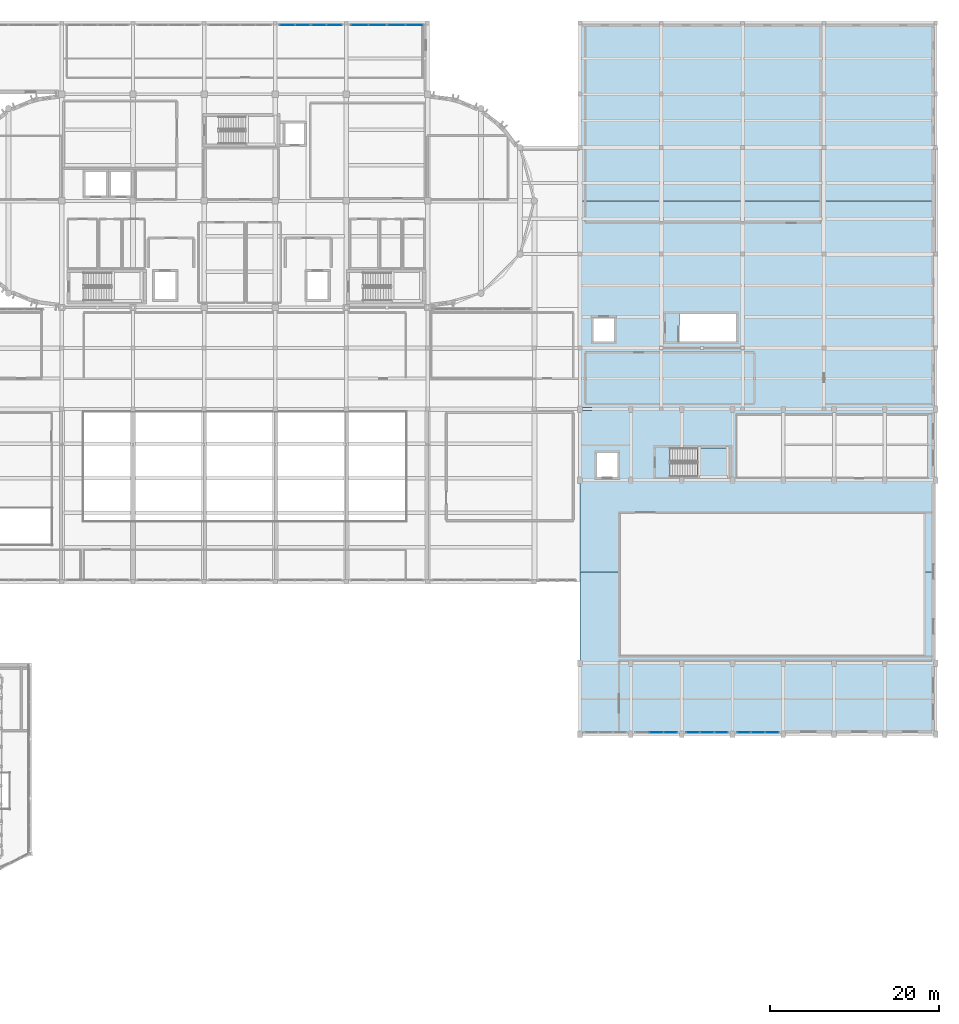
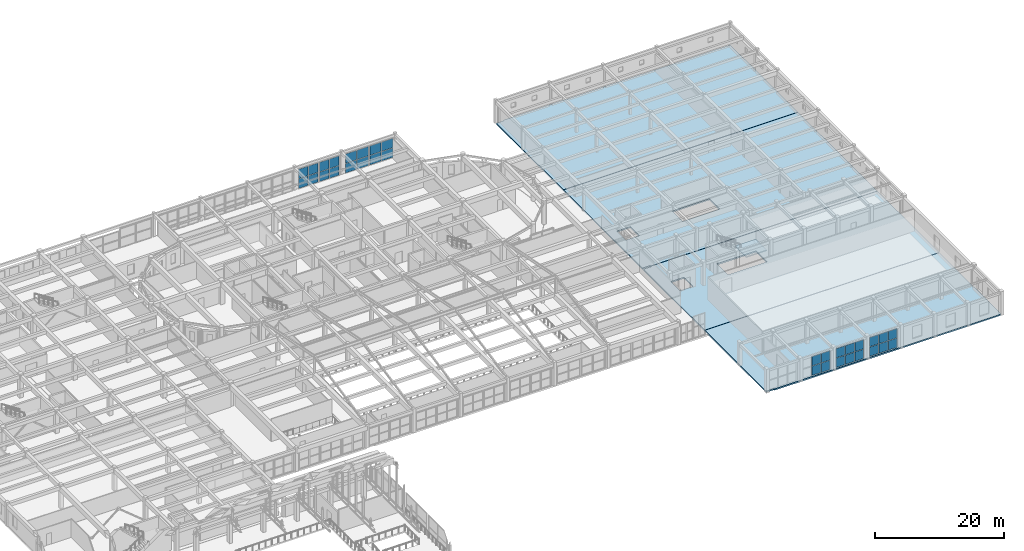
# One storey, part 63 of 91: 32 plates, 5 slabs, 8 elements without a shape of their own.
"""IFC4 building model written with IfcOpenShell, lengths in metres."""

import ifcopenshell
import ifcopenshell.guid

model = None  # the IFC model being written
_history = None  # IfcOwnerHistory: only IFC2X3 demands one
_inside = {}  # id of a spatial element -> (the spatial element, [elements in it])
_under = {}  # id of a project, library or spatial element -> (it, [spatial elements below it])
_declared = {}  # id of a project -> (the project, [libraries it declares])
_typed = {}  # id of a type object -> (the type object, [elements of that type])
_made_of = {}  # id of a material, layer set ... -> (it, [elements and type objects made of it])


def new_model(schema):
    """Start an empty IFC model of exactly this schema.

    Asked for "IFC4X3", IfcOpenShell would pick the latest addendum, in which some entities
    have other attributes; the version numbers below select the first issue.
    IFC2X3 requires an IfcOwnerHistory on every rooted entity: one is made here for all.
    """
    global model, _history
    if schema == "IFC4X3":
        model = ifcopenshell.file(schema_version=(4, 3, 0, 0))
    else:
        model = ifcopenshell.file(schema=schema)
    _inside.clear()
    _under.clear()
    _declared.clear()
    _typed.clear()
    _made_of.clear()
    _history = None
    if model.schema == "IFC2X3":
        org = make("IfcOrganization", Name="unknown")
        user = make(
            "IfcPersonAndOrganization",
            ThePerson=make("IfcPerson", FamilyName="unknown"),
            TheOrganization=org,
        )
        app = make(
            "IfcApplication",
            ApplicationDeveloper=org,
            Version="unknown",
            ApplicationFullName="unknown",
            ApplicationIdentifier="unknown",
        )
        _history = make(
            "IfcOwnerHistory",
            OwningUser=user,
            OwningApplication=app,
            ChangeAction="ADDED",
            CreationDate=0,
        )
    return model


def make(cls, **values):
    """One entity of the class cls with the attributes given. An attribute that is None is left unset."""
    return model.create_entity(
        cls, **{name: value for name, value in values.items() if value is not None}
    )


def rooted(cls, **values):
    """An entity with a GlobalId (a new one), such as an element, a storey or a relation."""
    return make(cls, GlobalId=ifcopenshell.guid.new(), OwnerHistory=_history, **values)


def si_unit(unit_type, name, prefix=None):
    """IfcSIUnit, for example si_unit("LENGTHUNIT", "METRE", prefix="MILLI")."""
    return make("IfcSIUnit", UnitType=unit_type, Prefix=prefix, Name=name)


def assignment(units):
    """IfcUnitAssignment: the units of a project."""
    return None if units is None else make("IfcUnitAssignment", Units=units)


def point(xyz):
    """IfcCartesianPoint."""
    return None if xyz is None else make("IfcCartesianPoint", Coordinates=xyz)


def direction(xyz):
    """IfcDirection."""
    return None if xyz is None else make("IfcDirection", DirectionRatios=xyz)


def frame(location, z_axis=None, x_axis=None):
    """IfcAxis2Placement3D, a coordinate frame: its origin and axes. An axis left out is left unset."""
    return make(
        "IfcAxis2Placement3D",
        Location=point(location),
        Axis=direction(z_axis),
        RefDirection=direction(x_axis),
    )


def frame_2d(location, x_axis=None):
    """IfcAxis2Placement2D, a coordinate frame in the plane: its origin and x axis."""
    return make(
        "IfcAxis2Placement2D", Location=point(location), RefDirection=direction(x_axis)
    )


def origin():
    """The frame at (0, 0, 0) with its axes left unset."""
    return frame((0.0, 0.0, 0.0))


def origin_2d():
    """The frame at (0, 0) in the plane with its x axis left unset."""
    return frame_2d((0.0, 0.0))


def place(relative_to, where):
    """IfcLocalPlacement: puts the frame where relative to a parent placement (None: the world)."""
    return make(
        "IfcLocalPlacement", PlacementRelTo=relative_to, RelativePlacement=where
    )


def context(
    kind, dimensions, precision=None, world=None, true_north=None, identifier=None
):
    """IfcGeometricRepresentationContext, for example the 3D "Model" context."""
    return make(
        "IfcGeometricRepresentationContext",
        ContextIdentifier=identifier,
        ContextType=kind,
        CoordinateSpaceDimension=dimensions,
        Precision=precision,
        WorldCoordinateSystem=world,
        TrueNorth=true_north,
    )


def subcontext(parent, identifier, kind, view, scale=None):
    """IfcGeometricRepresentationSubContext, for example "Body" below "Model"."""
    return make(
        "IfcGeometricRepresentationSubContext",
        ContextIdentifier=identifier,
        ContextType=kind,
        ParentContext=parent,
        TargetScale=scale,
        TargetView=view,
    )


def project(units=None, contexts=None):
    """IfcProject with its units and contexts."""
    return rooted(
        "IfcProject",
        Name="project",
        RepresentationContexts=contexts,
        UnitsInContext=assignment(units),
    )


def spatial(cls, under=None, at=None, **own):
    """A site, building, storey or space (cls), placed at a placement, below another one or the project."""
    s = rooted(cls, ObjectPlacement=at, **own)
    if under is not None:
        _under.setdefault(under.id(), (under, []))[1].append(s)
    return s


def polyline(points):
    """IfcPolyline through the points."""
    return make("IfcPolyline", Points=[point(p) for p in points])


def profile(cls, at=None, kind="AREA", **sizes):
    """A parametric profile (cls). Its sizes go by their IFC names, for example OverallWidth=200.0."""
    return make(cls, ProfileType=kind, Position=at, **sizes)


def rectangle(**sizes):
    """IfcRectangleProfileDef."""
    return profile("IfcRectangleProfileDef", **sizes)


def outline(outer, holes=None, kind="AREA"):
    """IfcArbitraryClosedProfileDef: a profile drawn as a closed curve; with holes, ...WithVoids."""
    if holes is None:
        return make("IfcArbitraryClosedProfileDef", ProfileType=kind, OuterCurve=outer)
    return make(
        "IfcArbitraryProfileDefWithVoids",
        ProfileType=kind,
        OuterCurve=outer,
        InnerCurves=holes,
    )


def extrude(swept, where, along, depth):
    """IfcExtrudedAreaSolid: the profile swept, set in the frame where, extruded along a direction by depth."""
    return make(
        "IfcExtrudedAreaSolid",
        SweptArea=swept,
        Position=where,
        ExtrudedDirection=direction(along),
        Depth=depth,
    )


def shape(context_of_items, identifier, shape_type, items):
    """IfcShapeRepresentation: the items that make up one representation, for example the "Body"."""
    return make(
        "IfcShapeRepresentation",
        ContextOfItems=context_of_items,
        RepresentationIdentifier=identifier,
        RepresentationType=shape_type,
        Items=items,
    )


def material(Name=None, Category=None):
    """IfcMaterial."""
    return make("IfcMaterial", Name=Name, Category=Category)


def layer(
    of_material, thickness, ventilated=None, Name=None, Category=None, Priority=None
):
    """IfcMaterialLayer: one layer of a wall or slab, of a material (None: an air gap)."""
    return make(
        "IfcMaterialLayer",
        Material=of_material,
        LayerThickness=thickness,
        IsVentilated=ventilated,
        Name=Name,
        Category=Category,
        Priority=Priority,
    )


def layer_set(layers, Name=None):
    """IfcMaterialLayerSet."""
    return make("IfcMaterialLayerSet", MaterialLayers=layers, LayerSetName=Name)


def made_of(thing, what):
    """Note that an element or type object is made of a material, layer set ...; save() writes the relation."""
    if what is not None:
        _made_of.setdefault(what.id(), (what, []))[1].append(thing)
    return thing


def type_object(cls, material=None, **own):
    """A type object (cls), such as IfcWallType, which elements share."""
    return made_of(rooted(cls, **own), material)


def element(
    cls,
    number,
    at=None,
    inside=None,
    cuts=None,
    type_object=None,
    material=None,
    context=None,
    identifier="Body",
    shape_type=None,
    held_by="IfcProductDefinitionShape",
    body=None,
    shapes=None,
    **own,
):
    """One element of the class cls, such as IfcWall. Its Tag is "e" and its number.

    at: its placement. inside: the storey or other place that contains it. cuts: it is an
    opening in that element (IfcRelVoidsElement). A single representation is given by context,
    identifier, shape_type and body (its items); several are given by shapes. held_by: the class
    of the entity that holds the representations. save() writes the other relations.
    """
    e = rooted(cls, Tag="e%d" % number, ObjectPlacement=at, **own)
    if body is not None:
        shapes = [shape(context, identifier, shape_type, body)]
    if shapes is not None:
        e.Representation = make(held_by, Representations=shapes)
    if inside is not None:
        _inside.setdefault(inside.id(), (inside, []))[1].append(e)
    if cuts is not None:
        rooted(
            "IfcRelVoidsElement", RelatingBuildingElement=cuts, RelatedOpeningElement=e
        )
    if type_object is not None:
        _typed.setdefault(type_object.id(), (type_object, []))[1].append(e)
    return made_of(e, material)


def aggregate(whole, parts):
    """IfcRelAggregates: a whole, such as a stair, and the parts it consists of."""
    return rooted("IfcRelAggregates", RelatingObject=whole, RelatedObjects=parts)


def save(model, path):
    """Write the relations noted so far, then the file.

    IfcRelAggregates (storeys below a building ...), IfcRelContainedInSpatialStructure (elements
    in a storey), IfcRelDefinesByType, IfcRelAssociatesMaterial and IfcRelDeclares: one each for
    every whole, place, type object, material and project.
    """
    for whole, parts in _under.values():
        aggregate(whole, parts)
    for where, things in _inside.values():
        rooted(
            "IfcRelContainedInSpatialStructure",
            RelatedElements=things,
            RelatingStructure=where,
        )
    for kind, things in _typed.values():
        rooted("IfcRelDefinesByType", RelatedObjects=things, RelatingType=kind)
    for what, things in _made_of.values():
        rooted("IfcRelAssociatesMaterial", RelatedObjects=things, RelatingMaterial=what)
    for by, libraries in _declared.values():
        rooted("IfcRelDeclares", RelatingContext=by, RelatedDefinitions=libraries)
    model.write(path)


model = new_model("IFC4")

# Units and contexts
model_context = context("Model", 3, precision=1e-05, world=origin(), true_north=direction((0.0, 1.0)))
body_context = subcontext(model_context, "Body", "Model", "MODEL_VIEW")
ifc_project = project(units=[si_unit("LENGTHUNIT", "METRE"), si_unit("AREAUNIT", "SQUARE_METRE"), si_unit("VOLUMEUNIT", "CUBIC_METRE"), si_unit("PLANEANGLEUNIT", "RADIAN"), si_unit("MASSUNIT", "GRAM", prefix="KILO")], contexts=[model_context])

# Site, building, storey
site_placement = place(None, origin())
site = spatial("IfcSite", under=ifc_project, at=site_placement, CompositionType="ELEMENT")
building_placement = place(site_placement, origin())
building = spatial("IfcBuilding", under=site, at=building_placement, Name="Tarnavel Promenade Courthouse", CompositionType="ELEMENT")
storey_placement = place(building_placement, frame((0.0, 0.0, 9.89990234375)))
storey = spatial("IfcBuildingStorey", under=building, at=storey_placement, Name="L03", CompositionType="ELEMENT", Elevation=9.89990234375)

# Stair, slab
ifc_material_1 = material(Name="Concrete C35/45", Category="concrete")
stair_type = type_object("IfcStairType", Name="Concrete C35/45 Half-Turn Stair STR-19 (1600W-300G-24R)", PredefinedType="HALF_TURN_STAIR", material=ifc_material_1)
stair_placement = place(storey_placement, origin())
stair = element("IfcStair", 1, at=stair_placement, inside=storey, type_object=stair_type, Name="L03 Ceremonial Pavilion Exit Stair", PredefinedType="HALF_TURN_STAIR")
ifc_layer_1 = layer(ifc_material_1, 0.205078125)
ifc_layer_set_1 = layer_set([ifc_layer_1], Name="Concrete C35/45")
slab_type_1 = type_object("IfcSlabType", Name="Concrete C35/45 Stair Landing SLB-LND-205 (205 mm)", PredefinedType="LANDING", material=ifc_layer_set_1)
slab_1_placement = place(storey_placement, frame((0.0, 0.0, 2.050048828125)))
slab_1 = element("IfcSlab", 2, at=slab_1_placement, type_object=slab_type_1, Name="ST-08 landing 1", PredefinedType="LANDING", context=body_context, shape_type="SweptSolid", body=[
    extrude(outline(polyline([(133.89990234375, 59.199951171875), (137.60009765625, 59.199951171875), (137.60009765625, 62.60009765625), (133.89990234375, 62.60009765625), (133.89990234375, 59.199951171875)])), origin(), (0.0, 0.0, 1.0), 0.199951171875),
])
aggregate(stair, [slab_1])

# Slabs
ifc_material_2 = material(Name="Concrete C40/50", Category="concrete")
ifc_layer_2 = layer(ifc_material_2, 0.25)
ifc_layer_set_2 = layer_set([ifc_layer_2], Name="Concrete C40/50")
slab_type_2 = type_object("IfcSlabType", Name="Concrete C40/50 SLB-PT-250 (250 mm)", PredefinedType="FLOOR", material=ifc_layer_set_2)
slab_2_placement = place(storey_placement, frame((0.0, 0.0, -0.25)))
element("IfcSlab", 3, at=slab_2_placement, inside=storey, type_object=slab_type_2, Name="L03 Custody Suite S Security Slab", PredefinedType="FLOOR", context=body_context, shape_type="SweptSolid", body=[
    extrude(outline(polyline([(120.02001953125, 67.3798828125), (121.419921875, 67.3798828125), (121.419921875, 67.219970703125), (162.0, 67.219970703125), (162.0, 91.780029296875), (120.02001953125, 91.780029296875), (120.02001953125, 67.3798828125)]), holes=[polyline([(131.7451171875, 75.199951171875), (138.39990234375, 75.199951171875), (138.39990234375, 78.39990234375), (131.7451171875, 78.39990234375), (131.7451171875, 75.199951171875)]), polyline([(121.60009765625, 75.199951171875), (124.0, 75.199951171875), (124.0, 78.0), (121.60009765625, 78.0), (121.60009765625, 75.199951171875)])]), origin(), (0.0, 0.0, 1.0), 0.25),
])
slab_3_placement = place(storey_placement, frame((0.0, 0.0, -0.25)))
element("IfcSlab", 4, at=slab_3_placement, inside=storey, type_object=slab_type_2, Name="L03 Custody Suite N Security Slab", PredefinedType="FLOOR", context=body_context, shape_type="SweptSolid", body=[
    extrude(outline(polyline([(120.02001953125, 91.820068359375), (162.0, 91.820068359375), (162.0, 112.800048828125), (121.419921875, 112.800048828125), (121.419921875, 112.639892578125), (120.02001953125, 112.639892578125), (120.02001953125, 91.820068359375)])), origin(), (0.0, 0.0, 1.0), 0.25),
])
ifc_layer_3 = layer(ifc_material_2, 0.260009765625)
ifc_layer_set_3 = layer_set([ifc_layer_3], Name="Concrete C40/50")
slab_type_3 = type_object("IfcSlabType", Name="Concrete C40/50 SLB-PT-260 (260 mm)", PredefinedType="FLOOR", material=ifc_layer_set_3)
slab_4_placement = place(storey_placement, frame((0.0, 0.0, -0.260009765625)))
element("IfcSlab", 5, at=slab_4_placement, inside=storey, type_object=slab_type_3, Name="L03 Ceremonial Pavilion S Floor Slab", PredefinedType="FLOOR", context=body_context, shape_type="SweptSolid", body=[
    extrude(outline(polyline([(120.02001953125, 28.97998046875), (121.419921875, 28.97998046875), (121.419921875, 28.820068359375), (162.0, 28.820068359375), (162.0, 47.97998046875), (120.02001953125, 47.97998046875), (120.02001953125, 28.97998046875)])), origin(), (0.0, 0.0, 1.0), 0.260009765625),
])
slab_5_placement = place(storey_placement, frame((0.0, 0.0, -0.260009765625)))
element("IfcSlab", 6, at=slab_5_placement, inside=storey, type_object=slab_type_3, Name="L03 Ceremonial Pavilion N Floor Slab", PredefinedType="FLOOR", context=body_context, shape_type="SweptSolid", body=[
    extrude(outline(polyline([(120.02001953125, 48.02001953125), (162.0, 48.02001953125), (162.0, 67.179931640625), (121.419921875, 67.179931640625), (121.419921875, 67.02001953125), (120.02001953125, 67.02001953125), (120.02001953125, 48.02001953125)]), holes=[polyline([(130.64501953125, 59.199951171875), (137.60009765625, 59.199951171875), (137.60009765625, 62.60009765625), (130.64501953125, 62.60009765625), (130.64501953125, 59.199951171875)]), polyline([(122.0, 59.199951171875), (124.39990234375, 59.199951171875), (124.39990234375, 62.0), (122.0, 62.0), (122.0, 59.199951171875)])]), origin(), (0.0, 0.0, 1.0), 0.260009765625),
])

# Curtain wall, plates
ifc_material_3 = material(Name="Thermally Broken Anodised Aluminium Curtain Wall System", Category="aluminium")
ifc_layer_4 = layer(ifc_material_3, 0.199951171875)
ifc_layer_set_4 = layer_set([ifc_layer_4], Name="Thermally Broken Anodised Aluminium Curtain Wall System")
curtain_wall_type = type_object("IfcCurtainWallType", Name="Thermally Broken Aluminium Triple-Glazed Curtain Wall CW-FOYER", PredefinedType="NOTDEFINED", material=ifc_layer_set_4)
curtain_wall_1_placement = place(storey_placement, origin())
curtain_wall_1 = element("IfcCurtainWall", 7, at=curtain_wall_1_placement, inside=storey, type_object=curtain_wall_type, Name="L03 North Foyer Curtain Wall A 146", PredefinedType="NOTDEFINED")
ifc_material_4 = material(Name="Triple Low-E Argon Insulated Glazing", Category="glass")
ifc_layer_5 = layer(ifc_material_4, 0.048095703125)
ifc_layer_set_5 = layer_set([ifc_layer_5], Name="Triple Low-E Argon Insulated Glazing")
plate_type = type_object("IfcPlateType", Name="Triple Low-E Argon Insulated Glazing Unit CWP-48 (48 mm)", PredefinedType="CURTAIN_PANEL", material=ifc_layer_set_5)
plate_1_placement = place(storey_placement, frame((85.419921875, 112.580078125, 0.0703125), z_axis=(0.0, 0.0, 1.0), x_axis=(1.0, 0.0, 0.0)))
plate_1 = element("IfcPlate", 8, at=plate_1_placement, type_object=plate_type, Name="CW-04 panel 1.1", PredefinedType="CURTAIN_PANEL", context=body_context, shape_type="SweptSolid", body=[
    extrude(rectangle(XDim=1.719970703125, YDim=0.048095703125, at=origin_2d()), origin(), (0.0, 0.0, 1.0), 1.784912109375),
])
plate_2_placement = place(storey_placement, frame((85.419921875, 112.580078125, 1.92529296875), z_axis=(0.0, 0.0, 1.0), x_axis=(1.0, 0.0, 0.0)))
plate_2 = element("IfcPlate", 9, at=plate_2_placement, type_object=plate_type, Name="CW-04 panel 1.2", PredefinedType="CURTAIN_PANEL", context=body_context, shape_type="SweptSolid", body=[
    extrude(rectangle(XDim=1.719970703125, YDim=0.048095703125, at=origin_2d()), origin(), (0.0, 0.0, 1.0), 1.784912109375),
])
plate_3_placement = place(storey_placement, frame((87.219970703125, 112.580078125, 0.0703125), z_axis=(0.0, 0.0, 1.0), x_axis=(1.0, 0.0, 0.0)))
plate_3 = element("IfcPlate", 10, at=plate_3_placement, type_object=plate_type, Name="CW-04 panel 2.1", PredefinedType="CURTAIN_PANEL", context=body_context, shape_type="SweptSolid", body=[
    extrude(rectangle(XDim=1.719970703125, YDim=0.048095703125, at=origin_2d()), origin(), (0.0, 0.0, 1.0), 1.784912109375),
])
plate_4_placement = place(storey_placement, frame((87.219970703125, 112.580078125, 1.92529296875), z_axis=(0.0, 0.0, 1.0), x_axis=(1.0, 0.0, 0.0)))
plate_4 = element("IfcPlate", 11, at=plate_4_placement, type_object=plate_type, Name="CW-04 panel 2.2", PredefinedType="CURTAIN_PANEL", context=body_context, shape_type="SweptSolid", body=[
    extrude(rectangle(XDim=1.719970703125, YDim=0.048095703125, at=origin_2d()), origin(), (0.0, 0.0, 1.0), 1.784912109375),
])
aggregate(curtain_wall_1, [plate_1, plate_2, plate_3, plate_4])

curtain_wall_2_placement = place(storey_placement, origin())
curtain_wall_2 = element("IfcCurtainWall", 12, at=curtain_wall_2_placement, inside=storey, type_object=curtain_wall_type, Name="L03 North Foyer Curtain Wall B 147", PredefinedType="NOTDEFINED")
plate_5_placement = place(storey_placement, frame((89.179931640625, 112.580078125, 0.0703125), z_axis=(0.0, 0.0, 1.0), x_axis=(1.0, 0.0, 0.0)))
plate_5 = element("IfcPlate", 13, at=plate_5_placement, type_object=plate_type, Name="CW-04 panel 1.1", PredefinedType="CURTAIN_PANEL", context=body_context, shape_type="SweptSolid", body=[
    extrude(rectangle(XDim=1.719970703125, YDim=0.048095703125, at=origin_2d()), origin(), (0.0, 0.0, 1.0), 1.784912109375),
])
plate_6_placement = place(storey_placement, frame((89.179931640625, 112.580078125, 1.92529296875), z_axis=(0.0, 0.0, 1.0), x_axis=(1.0, 0.0, 0.0)))
plate_6 = element("IfcPlate", 14, at=plate_6_placement, type_object=plate_type, Name="CW-04 panel 1.2", PredefinedType="CURTAIN_PANEL", context=body_context, shape_type="SweptSolid", body=[
    extrude(rectangle(XDim=1.719970703125, YDim=0.048095703125, at=origin_2d()), origin(), (0.0, 0.0, 1.0), 1.784912109375),
])
plate_7_placement = place(storey_placement, frame((90.97998046875, 112.580078125, 0.0703125), z_axis=(0.0, 0.0, 1.0), x_axis=(1.0, 0.0, 0.0)))
plate_7 = element("IfcPlate", 15, at=plate_7_placement, type_object=plate_type, Name="CW-04 panel 2.1", PredefinedType="CURTAIN_PANEL", context=body_context, shape_type="SweptSolid", body=[
    extrude(rectangle(XDim=1.719970703125, YDim=0.048095703125, at=origin_2d()), origin(), (0.0, 0.0, 1.0), 1.784912109375),
])
plate_8_placement = place(storey_placement, frame((90.97998046875, 112.580078125, 1.92529296875), z_axis=(0.0, 0.0, 1.0), x_axis=(1.0, 0.0, 0.0)))
plate_8 = element("IfcPlate", 16, at=plate_8_placement, type_object=plate_type, Name="CW-04 panel 2.2", PredefinedType="CURTAIN_PANEL", context=body_context, shape_type="SweptSolid", body=[
    extrude(rectangle(XDim=1.719970703125, YDim=0.048095703125, at=origin_2d()), origin(), (0.0, 0.0, 1.0), 1.784912109375),
])
aggregate(curtain_wall_2, [plate_5, plate_6, plate_7, plate_8])

curtain_wall_3_placement = place(storey_placement, origin())
curtain_wall_3 = element("IfcCurtainWall", 17, at=curtain_wall_3_placement, inside=storey, type_object=curtain_wall_type, Name="L03 North Foyer Curtain Wall A 148", PredefinedType="NOTDEFINED")
plate_9_placement = place(storey_placement, frame((93.969970703125, 112.580078125, 0.0703125), z_axis=(0.0, 0.0, 1.0), x_axis=(1.0, 0.0, 0.0)))
plate_9 = element("IfcPlate", 18, at=plate_9_placement, type_object=plate_type, Name="CW-04 panel 1.1", PredefinedType="CURTAIN_PANEL", context=body_context, shape_type="SweptSolid", body=[
    extrude(rectangle(XDim=2.02001953125, YDim=0.048095703125, at=origin_2d()), origin(), (0.0, 0.0, 1.0), 1.760009765625),
])
plate_10_placement = place(storey_placement, frame((93.969970703125, 112.580078125, 1.89990234375), z_axis=(0.0, 0.0, 1.0), x_axis=(1.0, 0.0, 0.0)))
plate_10 = element("IfcPlate", 19, at=plate_10_placement, type_object=plate_type, Name="CW-04 panel 1.2", PredefinedType="CURTAIN_PANEL", context=body_context, shape_type="SweptSolid", body=[
    extrude(rectangle(XDim=2.02001953125, YDim=0.048095703125, at=origin_2d()), origin(), (0.0, 0.0, 1.0), 1.760009765625),
])
plate_11_placement = place(storey_placement, frame((96.070068359375, 112.580078125, 0.0703125), z_axis=(0.0, 0.0, 1.0), x_axis=(1.0, 0.0, 0.0)))
plate_11 = element("IfcPlate", 20, at=plate_11_placement, type_object=plate_type, Name="CW-04 panel 2.1", PredefinedType="CURTAIN_PANEL", context=body_context, shape_type="SweptSolid", body=[
    extrude(rectangle(XDim=2.02001953125, YDim=0.048095703125, at=origin_2d()), origin(), (0.0, 0.0, 1.0), 1.760009765625),
])
plate_12_placement = place(storey_placement, frame((96.070068359375, 112.580078125, 1.89990234375), z_axis=(0.0, 0.0, 1.0), x_axis=(1.0, 0.0, 0.0)))
plate_12 = element("IfcPlate", 21, at=plate_12_placement, type_object=plate_type, Name="CW-04 panel 2.2", PredefinedType="CURTAIN_PANEL", context=body_context, shape_type="SweptSolid", body=[
    extrude(rectangle(XDim=2.02001953125, YDim=0.048095703125, at=origin_2d()), origin(), (0.0, 0.0, 1.0), 1.760009765625),
])
aggregate(curtain_wall_3, [plate_9, plate_10, plate_11, plate_12])

curtain_wall_4_placement = place(storey_placement, origin())
curtain_wall_4 = element("IfcCurtainWall", 22, at=curtain_wall_4_placement, inside=storey, type_object=curtain_wall_type, Name="L03 North Foyer Curtain Wall B 149", PredefinedType="NOTDEFINED")
plate_13_placement = place(storey_placement, frame((98.330078125, 112.580078125, 0.0703125), z_axis=(0.0, 0.0, 1.0), x_axis=(1.0, 0.0, 0.0)))
plate_13 = element("IfcPlate", 23, at=plate_13_placement, type_object=plate_type, Name="CW-04 panel 1.1", PredefinedType="CURTAIN_PANEL", context=body_context, shape_type="SweptSolid", body=[
    extrude(rectangle(XDim=2.02001953125, YDim=0.048095703125, at=origin_2d()), origin(), (0.0, 0.0, 1.0), 1.760009765625),
])
plate_14_placement = place(storey_placement, frame((98.330078125, 112.580078125, 1.89990234375), z_axis=(0.0, 0.0, 1.0), x_axis=(1.0, 0.0, 0.0)))
plate_14 = element("IfcPlate", 24, at=plate_14_placement, type_object=plate_type, Name="CW-04 panel 1.2", PredefinedType="CURTAIN_PANEL", context=body_context, shape_type="SweptSolid", body=[
    extrude(rectangle(XDim=2.02001953125, YDim=0.048095703125, at=origin_2d()), origin(), (0.0, 0.0, 1.0), 1.760009765625),
])
plate_15_placement = place(storey_placement, frame((100.429931640625, 112.580078125, 0.0703125), z_axis=(0.0, 0.0, 1.0), x_axis=(1.0, 0.0, 0.0)))
plate_15 = element("IfcPlate", 25, at=plate_15_placement, type_object=plate_type, Name="CW-04 panel 2.1", PredefinedType="CURTAIN_PANEL", context=body_context, shape_type="SweptSolid", body=[
    extrude(rectangle(XDim=2.02001953125, YDim=0.048095703125, at=origin_2d()), origin(), (0.0, 0.0, 1.0), 1.760009765625),
])
plate_16_placement = place(storey_placement, frame((100.429931640625, 112.580078125, 1.89990234375), z_axis=(0.0, 0.0, 1.0), x_axis=(1.0, 0.0, 0.0)))
plate_16 = element("IfcPlate", 26, at=plate_16_placement, type_object=plate_type, Name="CW-04 panel 2.2", PredefinedType="CURTAIN_PANEL", context=body_context, shape_type="SweptSolid", body=[
    extrude(rectangle(XDim=2.02001953125, YDim=0.048095703125, at=origin_2d()), origin(), (0.0, 0.0, 1.0), 1.760009765625),
])
aggregate(curtain_wall_4, [plate_13, plate_14, plate_15, plate_16])

curtain_wall_5_placement = place(storey_placement, origin())
curtain_wall_5 = element("IfcCurtainWall", 27, at=curtain_wall_5_placement, inside=storey, type_object=curtain_wall_type, Name="L03 Ceremonial Cloister Curtain Wall 178", PredefinedType="NOTDEFINED")
plate_17_placement = place(storey_placement, frame((129.0, 29.02001953125, 0.080078125), z_axis=(0.0, 0.0, 1.0), x_axis=(1.0, 0.0, 0.0)))
plate_17 = element("IfcPlate", 28, at=plate_17_placement, type_object=plate_type, Name="CW-04 panel 2.1", PredefinedType="CURTAIN_PANEL", context=body_context, shape_type="SweptSolid", body=[
    extrude(rectangle(XDim=1.610107421875, YDim=0.048095703125, at=origin_2d()), origin(), (0.0, 0.0, 1.0), 1.7451171875),
])
plate_18_placement = place(storey_placement, frame((129.0, 29.02001953125, 1.905029296875), z_axis=(0.0, 0.0, 1.0), x_axis=(1.0, 0.0, 0.0)))
plate_18 = element("IfcPlate", 29, at=plate_18_placement, type_object=plate_type, Name="CW-04 panel 2.2", PredefinedType="CURTAIN_PANEL", context=body_context, shape_type="SweptSolid", body=[
    extrude(rectangle(XDim=1.610107421875, YDim=0.048095703125, at=origin_2d()), origin(), (0.0, 0.0, 1.0), 1.7451171875),
])
plate_19_placement = place(storey_placement, frame((130.677490234375, 29.02001953125, 0.080078125), z_axis=(0.0, 0.0, 1.0), x_axis=(1.0, 0.0, 0.0)))
plate_19 = element("IfcPlate", 30, at=plate_19_placement, type_object=plate_type, Name="CW-04 panel 3.1", PredefinedType="CURTAIN_PANEL", context=body_context, shape_type="SweptSolid", body=[
    extrude(rectangle(XDim=1.56494140625, YDim=0.048095703125, at=origin_2d()), origin(), (0.0, 0.0, 1.0), 1.7451171875),
])
plate_20_placement = place(storey_placement, frame((130.677490234375, 29.02001953125, 1.905029296875), z_axis=(0.0, 0.0, 1.0), x_axis=(1.0, 0.0, 0.0)))
plate_20 = element("IfcPlate", 31, at=plate_20_placement, type_object=plate_type, Name="CW-04 panel 3.2", PredefinedType="CURTAIN_PANEL", context=body_context, shape_type="SweptSolid", body=[
    extrude(rectangle(XDim=1.56494140625, YDim=0.048095703125, at=origin_2d()), origin(), (0.0, 0.0, 1.0), 1.7451171875),
])
aggregate(curtain_wall_5, [plate_17, plate_18, plate_19, plate_20])

curtain_wall_6_placement = place(storey_placement, origin())
curtain_wall_6 = element("IfcCurtainWall", 32, at=curtain_wall_6_placement, inside=storey, type_object=curtain_wall_type, Name="L03 Ceremonial Cloister Curtain Wall 179", PredefinedType="NOTDEFINED")
plate_21_placement = place(storey_placement, frame((133.322509765625, 29.02001953125, 0.080078125), z_axis=(0.0, 0.0, 1.0), x_axis=(1.0, 0.0, 0.0)))
plate_21 = element("IfcPlate", 33, at=plate_21_placement, type_object=plate_type, Name="CW-04 panel 1.1", PredefinedType="CURTAIN_PANEL", context=body_context, shape_type="SweptSolid", body=[
    extrude(rectangle(XDim=1.56494140625, YDim=0.048095703125, at=origin_2d()), origin(), (0.0, 0.0, 1.0), 1.7451171875),
])
plate_22_placement = place(storey_placement, frame((133.322509765625, 29.02001953125, 1.905029296875), z_axis=(0.0, 0.0, 1.0), x_axis=(1.0, 0.0, 0.0)))
plate_22 = element("IfcPlate", 34, at=plate_22_placement, type_object=plate_type, Name="CW-04 panel 1.2", PredefinedType="CURTAIN_PANEL", context=body_context, shape_type="SweptSolid", body=[
    extrude(rectangle(XDim=1.56494140625, YDim=0.048095703125, at=origin_2d()), origin(), (0.0, 0.0, 1.0), 1.7451171875),
])
plate_23_placement = place(storey_placement, frame((135.0, 29.02001953125, 0.080078125), z_axis=(0.0, 0.0, 1.0), x_axis=(1.0, 0.0, 0.0)))
plate_23 = element("IfcPlate", 35, at=plate_23_placement, type_object=plate_type, Name="CW-04 panel 2.1", PredefinedType="CURTAIN_PANEL", context=body_context, shape_type="SweptSolid", body=[
    extrude(rectangle(XDim=1.610107421875, YDim=0.048095703125, at=origin_2d()), origin(), (0.0, 0.0, 1.0), 1.7451171875),
])
plate_24_placement = place(storey_placement, frame((135.0, 29.02001953125, 1.905029296875), z_axis=(0.0, 0.0, 1.0), x_axis=(1.0, 0.0, 0.0)))
plate_24 = element("IfcPlate", 36, at=plate_24_placement, type_object=plate_type, Name="CW-04 panel 2.2", PredefinedType="CURTAIN_PANEL", context=body_context, shape_type="SweptSolid", body=[
    extrude(rectangle(XDim=1.610107421875, YDim=0.048095703125, at=origin_2d()), origin(), (0.0, 0.0, 1.0), 1.7451171875),
])
plate_25_placement = place(storey_placement, frame((136.677490234375, 29.02001953125, 0.080078125), z_axis=(0.0, 0.0, 1.0), x_axis=(1.0, 0.0, 0.0)))
plate_25 = element("IfcPlate", 37, at=plate_25_placement, type_object=plate_type, Name="CW-04 panel 3.1", PredefinedType="CURTAIN_PANEL", context=body_context, shape_type="SweptSolid", body=[
    extrude(rectangle(XDim=1.56494140625, YDim=0.048095703125, at=origin_2d()), origin(), (0.0, 0.0, 1.0), 1.7451171875),
])
plate_26_placement = place(storey_placement, frame((136.677490234375, 29.02001953125, 1.905029296875), z_axis=(0.0, 0.0, 1.0), x_axis=(1.0, 0.0, 0.0)))
plate_26 = element("IfcPlate", 38, at=plate_26_placement, type_object=plate_type, Name="CW-04 panel 3.2", PredefinedType="CURTAIN_PANEL", context=body_context, shape_type="SweptSolid", body=[
    extrude(rectangle(XDim=1.56494140625, YDim=0.048095703125, at=origin_2d()), origin(), (0.0, 0.0, 1.0), 1.7451171875),
])
aggregate(curtain_wall_6, [plate_21, plate_22, plate_23, plate_24, plate_25, plate_26])

curtain_wall_7_placement = place(storey_placement, origin())
curtain_wall_7 = element("IfcCurtainWall", 39, at=curtain_wall_7_placement, inside=storey, type_object=curtain_wall_type, Name="L03 Ceremonial Cloister Curtain Wall 180", PredefinedType="NOTDEFINED")
plate_27_placement = place(storey_placement, frame((139.322509765625, 29.02001953125, 0.080078125), z_axis=(0.0, 0.0, 1.0), x_axis=(1.0, 0.0, 0.0)))
plate_27 = element("IfcPlate", 40, at=plate_27_placement, type_object=plate_type, Name="CW-04 panel 1.1", PredefinedType="CURTAIN_PANEL", context=body_context, shape_type="SweptSolid", body=[
    extrude(rectangle(XDim=1.56494140625, YDim=0.048095703125, at=origin_2d()), origin(), (0.0, 0.0, 1.0), 1.7451171875),
])
plate_28_placement = place(storey_placement, frame((139.322509765625, 29.02001953125, 1.905029296875), z_axis=(0.0, 0.0, 1.0), x_axis=(1.0, 0.0, 0.0)))
plate_28 = element("IfcPlate", 41, at=plate_28_placement, type_object=plate_type, Name="CW-04 panel 1.2", PredefinedType="CURTAIN_PANEL", context=body_context, shape_type="SweptSolid", body=[
    extrude(rectangle(XDim=1.56494140625, YDim=0.048095703125, at=origin_2d()), origin(), (0.0, 0.0, 1.0), 1.7451171875),
])
plate_29_placement = place(storey_placement, frame((141.0, 29.02001953125, 0.080078125), z_axis=(0.0, 0.0, 1.0), x_axis=(1.0, 0.0, 0.0)))
plate_29 = element("IfcPlate", 42, at=plate_29_placement, type_object=plate_type, Name="CW-04 panel 2.1", PredefinedType="CURTAIN_PANEL", context=body_context, shape_type="SweptSolid", body=[
    extrude(rectangle(XDim=1.610107421875, YDim=0.048095703125, at=origin_2d()), origin(), (0.0, 0.0, 1.0), 1.7451171875),
])
plate_30_placement = place(storey_placement, frame((141.0, 29.02001953125, 1.905029296875), z_axis=(0.0, 0.0, 1.0), x_axis=(1.0, 0.0, 0.0)))
plate_30 = element("IfcPlate", 43, at=plate_30_placement, type_object=plate_type, Name="CW-04 panel 2.2", PredefinedType="CURTAIN_PANEL", context=body_context, shape_type="SweptSolid", body=[
    extrude(rectangle(XDim=1.610107421875, YDim=0.048095703125, at=origin_2d()), origin(), (0.0, 0.0, 1.0), 1.7451171875),
])
plate_31_placement = place(storey_placement, frame((142.677490234375, 29.02001953125, 0.080078125), z_axis=(0.0, 0.0, 1.0), x_axis=(1.0, 0.0, 0.0)))
plate_31 = element("IfcPlate", 44, at=plate_31_placement, type_object=plate_type, Name="CW-04 panel 3.1", PredefinedType="CURTAIN_PANEL", context=body_context, shape_type="SweptSolid", body=[
    extrude(rectangle(XDim=1.56494140625, YDim=0.048095703125, at=origin_2d()), origin(), (0.0, 0.0, 1.0), 1.7451171875),
])
plate_32_placement = place(storey_placement, frame((142.677490234375, 29.02001953125, 1.905029296875), z_axis=(0.0, 0.0, 1.0), x_axis=(1.0, 0.0, 0.0)))
plate_32 = element("IfcPlate", 45, at=plate_32_placement, type_object=plate_type, Name="CW-04 panel 3.2", PredefinedType="CURTAIN_PANEL", context=body_context, shape_type="SweptSolid", body=[
    extrude(rectangle(XDim=1.56494140625, YDim=0.048095703125, at=origin_2d()), origin(), (0.0, 0.0, 1.0), 1.7451171875),
])
aggregate(curtain_wall_7, [plate_27, plate_28, plate_29, plate_30, plate_31, plate_32])

save(model, "model.ifc")
